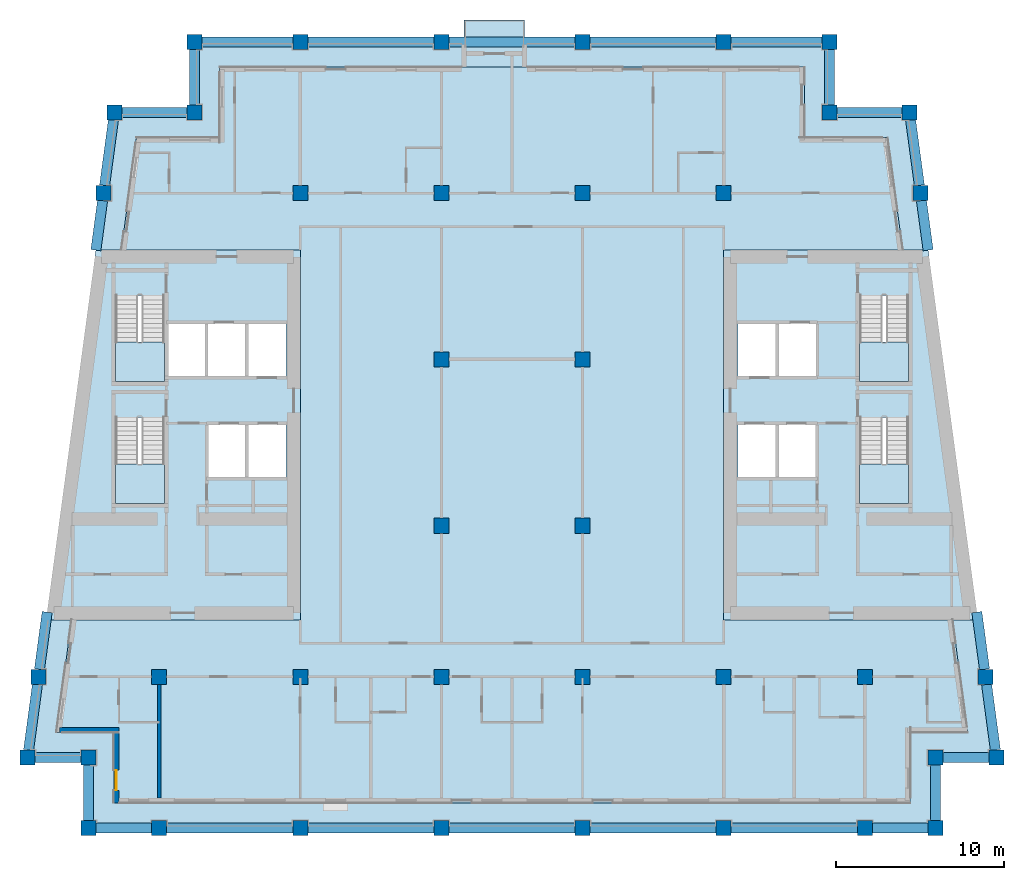
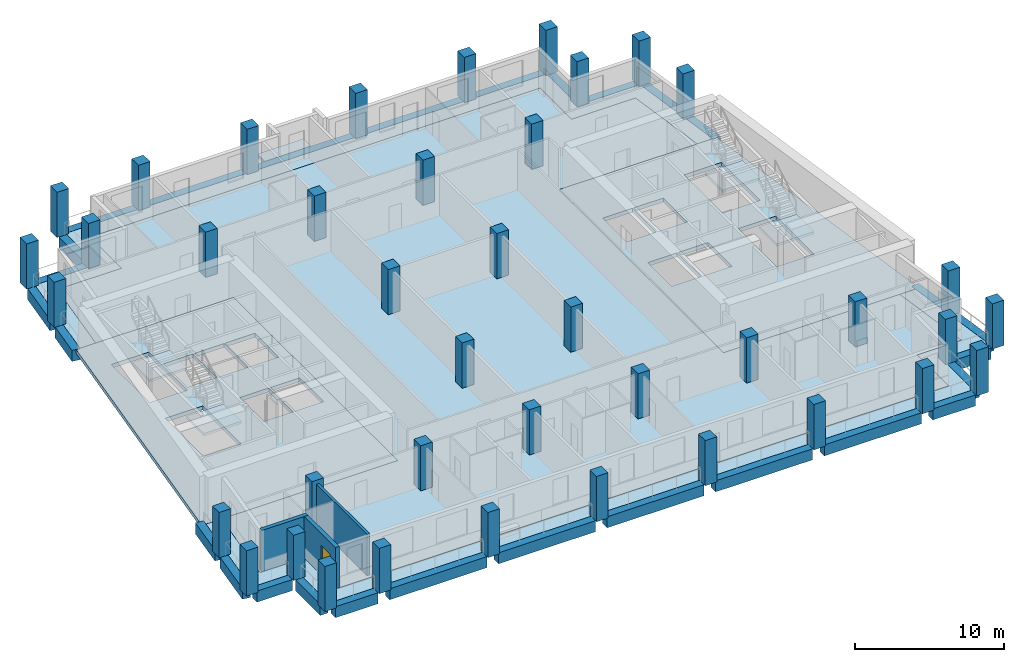
# One storey, part 1 of 12: 40 columns, 28 beams, 10 slabs, 3 walls, 1 door, 1 opening, 4 elements without a shape of their own.
"""IFC4 building model written with IfcOpenShell, lengths in metres."""

from ifc_helpers import new_model, si_unit, direction, frame, frame_2d, origin, origin_2d, place, context, subcontext, project, spatial, polyline, rectangle, outline, extrude, material, layer, layer_set, material_profile, profile_set, type_object, element, fill, aggregate, save


model = new_model("IFC4")

# Units and contexts
model_context = context("Model", 3, precision=1e-05, world=origin(), true_north=direction((0.0, 1.0)))
body_context = subcontext(model_context, "Body", "Model", "MODEL_VIEW")
ifc_project = project(units=[si_unit("LENGTHUNIT", "METRE"), si_unit("AREAUNIT", "SQUARE_METRE"), si_unit("VOLUMEUNIT", "CUBIC_METRE"), si_unit("PLANEANGLEUNIT", "RADIAN"), si_unit("MASSUNIT", "GRAM", prefix="KILO")], contexts=[model_context])

# Site, building, storey
site_placement = place(None, origin())
site = spatial("IfcSite", under=ifc_project, at=site_placement, CompositionType="ELEMENT")
building_placement = place(site_placement, origin())
building = spatial("IfcBuilding", under=site, at=building_placement, Name="Candeia Pilgrim Tower and Theatre", CompositionType="ELEMENT")
storey_placement = place(building_placement, frame((0.0, 0.0, 231.800048828125)))
storey = spatial("IfcBuildingStorey", under=building, at=storey_placement, Name="L56", CompositionType="ELEMENT", Elevation=231.800048828125)

# Columns
ifc_material_1 = material(Name="Concrete C50/60", Category="concrete")
ifc_material_profile_1 = material_profile(ifc_material_1, rectangle(XDim=0.89990234375, YDim=0.89990234375, at=origin_2d()))
ifc_profile_set_1 = profile_set([ifc_material_profile_1], Name="Concrete C50/60")
column_type = type_object("IfcColumnType", Name="RC 900x900 C50/60", PredefinedType="COLUMN", material=ifc_profile_set_1)
for number, where, z_axis, x_axis, name in (
    (1, (92.39990234375, 98.0, 0.0), (0.0, 0.0, 1.0), (1.0, 0.0, 0.0), "Column A1"),
    (2, (100.800048828125, 98.0, 0.0), (0.0, 0.0, 1.0), (1.0, 0.0, 0.0), "Column A2"),
    (3, (109.199951171875, 98.0, 0.0), (0.0, 0.0, 1.0), (1.0, 0.0, 0.0), "Column A3"),
    (4, (117.60009765625, 98.0, 0.0), (0.0, 0.0, 1.0), (1.0, 0.0, 0.0), "Column A4"),
    (5, (126.0, 98.0, 0.0), (0.0, 0.0, 1.0), (1.0, 0.0, 0.0), "Column A5"),
    (6, (134.39990234375, 98.0, 0.0), (0.0, 0.0, 1.0), (1.0, 0.0, 0.0), "Column A6"),
    (7, (88.199951171875, 98.0, 0.0), (0.0, 0.0, 1.0), (1.0, 0.0, 0.0), "Column AW"),
    (8, (138.60009765625, 98.0, 0.0), (0.0, 0.0, 1.0), (1.0, 0.0, 0.0), "Column AE"),
    (9, (88.199951171875, 102.199951171875, 0.0), (0.0, 0.0, 1.0), (1.0, 0.0, 0.0), "Column NSW"),
    (10, (138.60009765625, 102.199951171875, 0.0), (0.0, 0.0, 1.0), (1.0, 0.0, 0.0), "Column NSE"),
    (11, (94.5, 140.60009765625, 0.0), (0.0, 0.0, 1.0), (1.0, 0.0, 0.0), "Column NNW"),
    (12, (132.300048828125, 140.60009765625, 0.0), (0.0, 0.0, 1.0), (1.0, 0.0, 0.0), "Column NNE"),
    (13, (84.5654296875, 102.199951171875, 0.0), (0.0, 0.0, 1.0), (1.0, 0.0, 0.0), "Column LSW"),
    (14, (142.234619140625, 102.199951171875, 0.0), (0.0, 0.0, 1.0), (1.0, 0.0, 0.0), "Column LSE"),
    (15, (89.734619140625, 140.60009765625, 0.0), (0.0, 0.0, 1.0), (1.0, 0.0, 0.0), "Column LNW"),
    (16, (137.0654296875, 140.60009765625, 0.0), (0.0, 0.0, 1.0), (1.0, 0.0, 0.0), "Column LNE"),
    (17, (92.39990234375, 107.0, 0.0), (0.0, 0.0, 1.0), (1.0, 0.0, 0.0), "Column B1"),
    (18, (100.800048828125, 107.0, 0.0), (0.0, 0.0, 1.0), (1.0, 0.0, 0.0), "Column B2"),
    (19, (109.199951171875, 107.0, 0.0), (0.0, 0.0, 1.0), (1.0, 0.0, 0.0), "Column B3"),
    (20, (117.60009765625, 107.0, 0.0), (0.0, 0.0, 1.0), (1.0, 0.0, 0.0), "Column B4"),
    (21, (126.0, 107.0, 0.0), (0.0, 0.0, 1.0), (1.0, 0.0, 0.0), "Column B5"),
    (22, (134.39990234375, 107.0, 0.0), (0.0, 0.0, 1.0), (1.0, 0.0, 0.0), "Column B6"),
    (23, (85.21142578125, 107.0, 0.0), (0.0, 0.0, 1.0), (1.0, 0.0, 0.0), "Column BW"),
    (24, (141.58837890625, 107.0, 0.0), (0.0, 0.0, 1.0), (1.0, 0.0, 0.0), "Column BE"),
    (25, (109.199951171875, 116.0, 0.0), (0.0, 0.0, 1.0), (1.0, 0.0, 0.0), "Column C3"),
    (26, (117.60009765625, 116.0, 0.0), (0.0, 0.0, 1.0), (1.0, 0.0, 0.0), "Column C4"),
    (27, (109.199951171875, 125.89990234375, 0.0), (0.0, 0.0, 1.0), (1.0, 0.0, 0.0), "Column D3"),
    (28, (117.60009765625, 125.89990234375, 0.0), (0.0, 0.0, 1.0), (1.0, 0.0, 0.0), "Column D4"),
    (29, (100.800048828125, 135.800048828125, 0.0), (0.0, 0.0, 1.0), (1.0, 0.0, 0.0), "Column E2"),
    (30, (109.199951171875, 135.800048828125, 0.0), (0.0, 0.0, 1.0), (1.0, 0.0, 0.0), "Column E3"),
    (31, (117.60009765625, 135.800048828125, 0.0), (0.0, 0.0, 1.0), (1.0, 0.0, 0.0), "Column E4"),
    (32, (126.0, 135.800048828125, 0.0), (0.0, 0.0, 1.0), (1.0, 0.0, 0.0), "Column E5"),
    (33, (89.08837890625, 135.800048828125, 0.0), (0.0, 0.0, 1.0), (1.0, 0.0, 0.0), "Column EW"),
    (34, (137.71142578125, 135.800048828125, 0.0), (0.0, 0.0, 1.0), (1.0, 0.0, 0.0), "Column EE"),
    (35, (100.800048828125, 144.800048828125, 0.0), (0.0, 0.0, 1.0), (1.0, 0.0, 0.0), "Column F2"),
    (36, (109.199951171875, 144.800048828125, 0.0), (0.0, 0.0, 1.0), (1.0, 0.0, 0.0), "Column F3"),
    (37, (117.60009765625, 144.800048828125, 0.0), (0.0, 0.0, 1.0), (1.0, 0.0, 0.0), "Column F4"),
    (38, (126.0, 144.800048828125, 0.0), (0.0, 0.0, 1.0), (1.0, 0.0, 0.0), "Column F5"),
    (39, (94.5, 144.800048828125, 0.0), (0.0, 0.0, 1.0), (1.0, 0.0, 0.0), "Column FW"),
    (40, (132.300048828125, 144.800048828125, 0.0), (0.0, 0.0, 1.0), (1.0, 0.0, 0.0), "Column FE"),
):
    element("IfcColumn", number, at=place(storey_placement, frame(where, z_axis=z_axis, x_axis=x_axis)), inside=storey, type_object=column_type, Name=name, PredefinedType="COLUMN", context=body_context, shape_type="SweptSolid", body=[
        extrude(rectangle(XDim=0.89990234375, YDim=0.89990234375, at=origin_2d()), origin(), (0.0, 0.0, 1.0), 3.699951171875),
    ])

# Beams
ifc_material_profile_2 = material_profile(ifc_material_1, rectangle(XDim=0.60009765625, YDim=0.89990234375, at=origin_2d()))
ifc_profile_set_2 = profile_set([ifc_material_profile_2], Name="Concrete C50/60")
beam_type = type_object("IfcBeamType", Name="RC 600x900 C50/60", PredefinedType="BEAM", material=ifc_profile_set_2)
beam_1_placement = place(storey_placement, frame((88.64990234375, 98.0, -0.449951171875), z_axis=(1.0, 0.0, 0.0), x_axis=(0.0, 1.0, 0.0)))
element("IfcBeam", 41, at=beam_1_placement, inside=storey, type_object=beam_type, Name="Spandrel beam L56-01", PredefinedType="BEAM", context=body_context, shape_type="SweptSolid", body=[
    extrude(rectangle(XDim=0.60009765625, YDim=0.89990234375, at=origin_2d()), origin(), (0.0, 0.0, 1.0), 3.300048828125),
])
for number, where, z_axis, x_axis, name in (
    (42, (92.85009765625, 98.0, -0.449951171875), (1.0, 0.0, 0.0), (0.0, 1.0, 0.0), "Spandrel beam L56-02"),
    (43, (101.25, 98.0, -0.449951171875), (1.0, 0.0, 0.0), (0.0, 1.0, 0.0), "Spandrel beam L56-03"),
    (44, (109.64990234375, 98.0, -0.449951171875), (1.0, 0.0, 0.0), (0.0, 1.0, 0.0), "Spandrel beam L56-04"),
    (45, (118.050048828125, 98.0, -0.449951171875), (1.0, 0.0, 0.0), (0.0, 1.0, 0.0), "Spandrel beam L56-05"),
    (46, (126.449951171875, 98.0, -0.449951171875), (1.0, 0.0, 0.0), (0.0, 1.0, 0.0), "Spandrel beam L56-06"),
):
    element("IfcBeam", number, at=place(storey_placement, frame(where, z_axis=z_axis, x_axis=x_axis)), inside=storey, type_object=beam_type, Name=name, PredefinedType="BEAM", context=body_context, shape_type="SweptSolid", body=[
        extrude(rectangle(XDim=0.60009765625, YDim=0.89990234375, at=origin_2d()), origin(), (0.0, 0.0, 1.0), 7.5),
    ])
beam_2_placement = place(storey_placement, frame((134.85009765625, 98.0, -0.449951171875), z_axis=(1.0, 0.0, 0.0), x_axis=(0.0, 1.0, 0.0)))
element("IfcBeam", 47, at=beam_2_placement, inside=storey, type_object=beam_type, Name="Spandrel beam L56-07", PredefinedType="BEAM", context=body_context, shape_type="SweptSolid", body=[
    extrude(rectangle(XDim=0.60009765625, YDim=0.89990234375, at=origin_2d()), origin(), (0.0, 0.0, 1.0), 3.2998046875),
])
beam_3_placement = place(storey_placement, frame((138.60009765625, 98.449951171875, -0.449951171875), z_axis=(0.0, 1.0, 0.0), x_axis=(-1.0, 0.0, 0.0)))
element("IfcBeam", 48, at=beam_3_placement, inside=storey, type_object=beam_type, Name="Spandrel beam L56-08", PredefinedType="BEAM", context=body_context, shape_type="SweptSolid", body=[
    extrude(rectangle(XDim=0.60009765625, YDim=0.89990234375, at=origin_2d()), origin(), (0.0, 0.0, 1.0), 3.300048828125),
])
beam_4_placement = place(storey_placement, frame((139.050048828125, 102.199951171875, -0.449951171875), z_axis=(1.0, 0.0, 0.0), x_axis=(0.0, 1.0, 0.0)))
element("IfcBeam", 49, at=beam_4_placement, inside=storey, type_object=beam_type, Name="Spandrel beam L56-09", PredefinedType="BEAM", context=body_context, shape_type="SweptSolid", body=[
    extrude(rectangle(XDim=0.60009765625, YDim=0.89990234375, at=origin_2d()), origin(), (0.0, 0.0, 1.0), 2.734619140625),
])
beam_5_placement = place(storey_placement, frame((142.174072265625, 102.64990234375, -0.449951171875), z_axis=(-0.133443650757, 0.991056402064, 0.0), x_axis=(-0.991056402064, -0.133443650757, 0.0)))
element("IfcBeam", 50, at=beam_5_placement, inside=storey, type_object=beam_type, Name="Spandrel beam L56-10", PredefinedType="BEAM", context=body_context, shape_type="SweptSolid", body=[
    extrude(rectangle(XDim=0.60009765625, YDim=0.89990234375, at=origin_2d()), origin(), (0.0, 0.0, 1.0), 3.935302734375),
])
beam_6_placement = place(storey_placement, frame((141.52783203125, 107.449951171875, -0.449951171875), z_axis=(-0.133374411439, 0.99106572253, 0.0), x_axis=(-0.99106572253, -0.133374411439, 0.0)))
element("IfcBeam", 51, at=beam_6_placement, inside=storey, type_object=beam_type, Name="Spandrel beam L56-11", PredefinedType="BEAM", context=body_context, shape_type="SweptSolid", body=[
    extrude(rectangle(XDim=0.60009765625, YDim=0.89990234375, at=origin_2d()), origin(), (0.0, 0.0, 1.0), 3.43408203125),
])
beam_7_placement = place(storey_placement, frame((138.169189453125, 132.39990234375, -0.449951171875), z_axis=(-0.133356242983, 0.991068167412, 0.0), x_axis=(-0.991068167412, -0.133356242983, 0.0)))
element("IfcBeam", 52, at=beam_7_placement, inside=storey, type_object=beam_type, Name="Spandrel beam L56-12", PredefinedType="BEAM", context=body_context, shape_type="SweptSolid", body=[
    extrude(rectangle(XDim=0.60009765625, YDim=0.89990234375, at=origin_2d()), origin(), (0.0, 0.0, 1.0), 2.976806640625),
])
beam_8_placement = place(storey_placement, frame((137.65087890625, 136.25, -0.449951171875), z_axis=(-0.133390918184, 0.991063500965, 0.0), x_axis=(-0.991063500965, -0.133390918184, 0.0)))
element("IfcBeam", 53, at=beam_8_placement, inside=storey, type_object=beam_type, Name="Spandrel beam L56-13", PredefinedType="BEAM", context=body_context, shape_type="SweptSolid", body=[
    extrude(rectangle(XDim=0.60009765625, YDim=0.89990234375, at=origin_2d()), origin(), (0.0, 0.0, 1.0), 3.93505859375),
])
beam_9_placement = place(storey_placement, frame((136.615478515625, 140.60009765625, -0.449951171875), z_axis=(-1.0, 0.0, 0.0), x_axis=(0.0, -1.0, 0.0)))
element("IfcBeam", 54, at=beam_9_placement, inside=storey, type_object=beam_type, Name="Spandrel beam L56-14", PredefinedType="BEAM", context=body_context, shape_type="SweptSolid", body=[
    extrude(rectangle(XDim=0.60009765625, YDim=0.89990234375, at=origin_2d()), origin(), (0.0, 0.0, 1.0), 3.865478515625),
])
beam_10_placement = place(storey_placement, frame((132.300048828125, 141.050048828125, -0.449951171875), z_axis=(0.0, 1.0, 0.0), x_axis=(-1.0, 0.0, 0.0)))
element("IfcBeam", 55, at=beam_10_placement, inside=storey, type_object=beam_type, Name="Spandrel beam L56-15", PredefinedType="BEAM", context=body_context, shape_type="SweptSolid", body=[
    extrude(rectangle(XDim=0.60009765625, YDim=0.89990234375, at=origin_2d()), origin(), (0.0, 0.0, 1.0), 3.300048828125),
])
beam_11_placement = place(storey_placement, frame((131.85009765625, 144.800048828125, -0.449951171875), z_axis=(-1.0, 0.0, 0.0), x_axis=(0.0, -1.0, 0.0)))
element("IfcBeam", 56, at=beam_11_placement, inside=storey, type_object=beam_type, Name="Spandrel beam L56-16", PredefinedType="BEAM", context=body_context, shape_type="SweptSolid", body=[
    extrude(rectangle(XDim=0.60009765625, YDim=0.89990234375, at=origin_2d()), origin(), (0.0, 0.0, 1.0), 5.400146484375),
])
for number, where, z_axis, x_axis, name in (
    (57, (125.550048828125, 144.800048828125, -0.449951171875), (-1.0, 0.0, 0.0), (0.0, -1.0, 0.0), "Spandrel beam L56-17"),
    (58, (117.14990234375, 144.800048828125, -0.449951171875), (-1.0, 0.0, 0.0), (0.0, -1.0, 0.0), "Spandrel beam L56-18"),
    (59, (108.75, 144.800048828125, -0.449951171875), (-1.0, 0.0, 0.0), (0.0, -1.0, 0.0), "Spandrel beam L56-19"),
):
    element("IfcBeam", number, at=place(storey_placement, frame(where, z_axis=z_axis, x_axis=x_axis)), inside=storey, type_object=beam_type, Name=name, PredefinedType="BEAM", context=body_context, shape_type="SweptSolid", body=[
        extrude(rectangle(XDim=0.60009765625, YDim=0.89990234375, at=origin_2d()), origin(), (0.0, 0.0, 1.0), 7.5),
    ])
beam_12_placement = place(storey_placement, frame((100.35009765625, 144.800048828125, -0.449951171875), z_axis=(-1.0, 0.0, 0.0), x_axis=(0.0, -1.0, 0.0)))
element("IfcBeam", 60, at=beam_12_placement, inside=storey, type_object=beam_type, Name="Spandrel beam L56-20", PredefinedType="BEAM", context=body_context, shape_type="SweptSolid", body=[
    extrude(rectangle(XDim=0.60009765625, YDim=0.89990234375, at=origin_2d()), origin(), (0.0, 0.0, 1.0), 5.400146484375),
])
beam_13_placement = place(storey_placement, frame((94.5, 144.35009765625, -0.449951171875), z_axis=(0.0, -1.0, 0.0), x_axis=(1.0, 0.0, 0.0)))
element("IfcBeam", 61, at=beam_13_placement, inside=storey, type_object=beam_type, Name="Spandrel beam L56-21", PredefinedType="BEAM", context=body_context, shape_type="SweptSolid", body=[
    extrude(rectangle(XDim=0.60009765625, YDim=0.89990234375, at=origin_2d()), origin(), (0.0, 0.0, 1.0), 3.300048828125),
])
beam_14_placement = place(storey_placement, frame((94.050048828125, 140.60009765625, -0.449951171875), z_axis=(-1.0, 0.0, 0.0), x_axis=(0.0, -1.0, 0.0)))
element("IfcBeam", 62, at=beam_14_placement, inside=storey, type_object=beam_type, Name="Spandrel beam L56-22", PredefinedType="BEAM", context=body_context, shape_type="SweptSolid", body=[
    extrude(rectangle(XDim=0.60009765625, YDim=0.89990234375, at=origin_2d()), origin(), (0.0, 0.0, 1.0), 3.865478515625),
])
beam_15_placement = place(storey_placement, frame((89.674072265625, 140.14990234375, -0.449951171875), z_axis=(-0.133451855788, -0.99105529724, 0.0), x_axis=(0.99105529724, -0.133451855788, 0.0)))
element("IfcBeam", 63, at=beam_15_placement, inside=storey, type_object=beam_type, Name="Spandrel beam L56-23", PredefinedType="BEAM", context=body_context, shape_type="SweptSolid", body=[
    extrude(rectangle(XDim=0.60009765625, YDim=0.89990234375, at=origin_2d()), origin(), (0.0, 0.0, 1.0), 3.93505859375),
])
beam_16_placement = place(storey_placement, frame((89.02783203125, 135.35009765625, -0.449951171875), z_axis=(-0.133356242983, -0.991068167412, 0.0), x_axis=(0.991068167412, -0.133356242983, 0.0)))
element("IfcBeam", 64, at=beam_16_placement, inside=storey, type_object=beam_type, Name="Spandrel beam L56-24", PredefinedType="BEAM", context=body_context, shape_type="SweptSolid", body=[
    extrude(rectangle(XDim=0.60009765625, YDim=0.89990234375, at=origin_2d()), origin(), (0.0, 0.0, 1.0), 2.976806640625),
])
beam_17_placement = place(storey_placement, frame((85.730224609375, 110.853271484375, -0.449951171875), z_axis=(-0.133374411439, -0.99106572253, 0.0), x_axis=(0.99106572253, -0.133374411439, 0.0)))
element("IfcBeam", 65, at=beam_17_placement, inside=storey, type_object=beam_type, Name="Spandrel beam L56-25", PredefinedType="BEAM", context=body_context, shape_type="SweptSolid", body=[
    extrude(rectangle(XDim=0.60009765625, YDim=0.89990234375, at=origin_2d()), origin(), (0.0, 0.0, 1.0), 3.43408203125),
])
beam_18_placement = place(storey_placement, frame((85.15087890625, 106.550048828125, -0.449951171875), z_axis=(-0.133382716764, -0.991064604791, 0.0), x_axis=(0.991064604791, -0.133382716764, 0.0)))
element("IfcBeam", 66, at=beam_18_placement, inside=storey, type_object=beam_type, Name="Spandrel beam L56-26", PredefinedType="BEAM", context=body_context, shape_type="SweptSolid", body=[
    extrude(rectangle(XDim=0.60009765625, YDim=0.89990234375, at=origin_2d()), origin(), (0.0, 0.0, 1.0), 3.935302734375),
])
beam_19_placement = place(storey_placement, frame((85.015380859375, 102.199951171875, -0.449951171875), z_axis=(1.0, 0.0, 0.0), x_axis=(0.0, 1.0, 0.0)))
element("IfcBeam", 67, at=beam_19_placement, inside=storey, type_object=beam_type, Name="Spandrel beam L56-27", PredefinedType="BEAM", context=body_context, shape_type="SweptSolid", body=[
    extrude(rectangle(XDim=0.60009765625, YDim=0.89990234375, at=origin_2d()), origin(), (0.0, 0.0, 1.0), 2.734619140625),
])
beam_20_placement = place(storey_placement, frame((88.199951171875, 101.75, -0.449951171875), z_axis=(0.0, -1.0, 0.0), x_axis=(1.0, 0.0, 0.0)))
element("IfcBeam", 68, at=beam_20_placement, inside=storey, type_object=beam_type, Name="Spandrel beam L56-28", PredefinedType="BEAM", context=body_context, shape_type="SweptSolid", body=[
    extrude(rectangle(XDim=0.60009765625, YDim=0.89990234375, at=origin_2d()), origin(), (0.0, 0.0, 1.0), 3.300048828125),
])

# Slabs
ifc_material_2 = material(Name="Concrete C40/50", Category="concrete")
ifc_layer_1 = layer(ifc_material_2, 0.25)
ifc_layer_set_1 = layer_set([ifc_layer_1], Name="BK1 balcony slab 250")
slab_type_1 = type_object("IfcSlabType", Name="BK1 balcony slab 250", PredefinedType="USERDEFINED", material=ifc_layer_set_1)
slab_1_placement = place(storey_placement, frame((0.0, 0.0, -0.25)))
element("IfcSlab", 69, at=slab_1_placement, inside=storey, type_object=slab_type_1, Name="Balcony L56", ObjectType="BALCONY", PredefinedType="USERDEFINED", context=body_context, shape_type="SweptSolid", body=[
    extrude(outline(polyline([(110.550048828125, 144.5), (114.14990234375, 144.5), (114.14990234375, 146.10009765625), (110.550048828125, 146.10009765625), (110.550048828125, 144.5)])), origin(), (0.0, 0.0, 1.0), 0.25),
])
ifc_material_3 = material(Name="Concrete C60/75", Category="concrete")
ifc_layer_2 = layer(ifc_material_3, 0.320068359375)
ifc_layer_set_2 = layer_set([ifc_layer_2], Name="FS-CORE 320 core floor")
slab_type_2 = type_object("IfcSlabType", Name="FS-CORE 320 core floor", PredefinedType="FLOOR", material=ifc_layer_set_2)
slab_2_placement = place(storey_placement, frame((0.0, 0.0, -0.320068359375)))
element("IfcSlab", 70, at=slab_2_placement, inside=storey, type_object=slab_type_2, Name="Core floor W L56", PredefinedType="FLOOR", context=body_context, shape_type="SweptSolid", body=[
    extrude(outline(polyline([(100.800048828125, 132.39990234375), (100.800048828125, 110.39990234375), (85.669189453125, 110.39990234375), (88.630859375, 132.39990234375), (100.800048828125, 132.39990234375)]), holes=[polyline([(97.658935546875, 128.050048828125), (97.658935546875, 124.85009765625), (99.949951171875, 124.85009765625), (99.949951171875, 128.050048828125), (97.658935546875, 128.050048828125)]), polyline([(97.66357421875, 122.050048828125), (97.66357421875, 118.85009765625), (99.949951171875, 118.85009765625), (99.949951171875, 122.050048828125), (97.66357421875, 122.050048828125)]), polyline([(95.277099609375, 122.050048828125), (95.277099609375, 118.85009765625), (97.5634765625, 118.85009765625), (97.5634765625, 122.050048828125), (95.277099609375, 122.050048828125)]), polyline([(95.26806640625, 128.050048828125), (95.26806640625, 124.85009765625), (97.55908203125, 124.85009765625), (97.55908203125, 128.050048828125), (95.26806640625, 128.050048828125)]), polyline([(92.876953125, 128.050048828125), (92.876953125, 124.85009765625), (95.16796875, 124.85009765625), (95.16796875, 128.050048828125), (92.876953125, 128.050048828125)]), polyline([(89.802001953125, 117.324951171875), (92.701904296875, 117.324951171875), (92.701904296875, 122.455078125), (89.802001953125, 122.455078125), (89.802001953125, 117.324951171875)]), polyline([(89.802001953125, 129.705078125), (89.802001953125, 124.574951171875), (92.701904296875, 124.574951171875), (92.701904296875, 129.705078125), (89.802001953125, 129.705078125)])]), origin(), (0.0, 0.0, 1.0), 0.320068359375),
])
slab_3_placement = place(storey_placement, frame((0.0, 0.0, -0.320068359375)))
element("IfcSlab", 71, at=slab_3_placement, inside=storey, type_object=slab_type_2, Name="Core floor E L56", PredefinedType="FLOOR", context=body_context, shape_type="SweptSolid", body=[
    extrude(outline(polyline([(138.169189453125, 132.39990234375), (141.130859375, 110.39990234375), (126.0, 110.39990234375), (126.0, 132.39990234375), (138.169189453125, 132.39990234375)]), holes=[polyline([(134.097900390625, 117.324951171875), (136.998046875, 117.324951171875), (136.998046875, 122.455078125), (134.097900390625, 122.455078125), (134.097900390625, 117.324951171875)]), polyline([(134.097900390625, 129.705078125), (134.097900390625, 124.574951171875), (136.998046875, 124.574951171875), (136.998046875, 129.705078125), (134.097900390625, 129.705078125)]), polyline([(131.531982421875, 128.050048828125), (129.240966796875, 128.050048828125), (129.240966796875, 124.85009765625), (131.531982421875, 124.85009765625), (131.531982421875, 128.050048828125)]), polyline([(131.52294921875, 122.050048828125), (129.236572265625, 122.050048828125), (129.236572265625, 118.85009765625), (131.52294921875, 118.85009765625), (131.52294921875, 122.050048828125)]), polyline([(126.85009765625, 128.050048828125), (126.85009765625, 124.85009765625), (129.14111328125, 124.85009765625), (129.14111328125, 128.050048828125), (126.85009765625, 128.050048828125)]), polyline([(129.136474609375, 122.050048828125), (126.85009765625, 122.050048828125), (126.85009765625, 118.85009765625), (129.136474609375, 118.85009765625), (129.136474609375, 122.050048828125)])]), origin(), (0.0, 0.0, 1.0), 0.320068359375),
])
ifc_layer_3 = layer(ifc_material_1, 0.320068359375)
ifc_layer_set_3 = layer_set([ifc_layer_3], Name="Floor slab 320 C50/60")
slab_type_3 = type_object("IfcSlabType", Name="Floor slab 320 C50/60", PredefinedType="FLOOR", material=ifc_layer_set_3)
slab_4_placement = place(storey_placement, frame((0.0, 0.0, -0.320068359375)))
element("IfcSlab", 72, at=slab_4_placement, inside=storey, type_object=slab_type_3, Name="Floor slab L56", PredefinedType="FLOOR", context=body_context, shape_type="SweptSolid", body=[
    extrude(outline(polyline([(96.0, 139.10009765625), (96.0, 143.300048828125), (130.800048828125, 143.300048828125), (130.800048828125, 139.10009765625), (135.753662109375, 139.10009765625), (136.65576171875, 132.39990234375), (126.0, 132.39990234375), (126.0, 110.39990234375), (139.6171875, 110.39990234375), (140.51904296875, 103.699951171875), (137.10009765625, 103.699951171875), (137.10009765625, 99.5), (89.699951171875, 99.5), (89.699951171875, 103.699951171875), (86.28076171875, 103.699951171875), (87.182861328125, 110.39990234375), (100.800048828125, 110.39990234375), (100.800048828125, 132.39990234375), (90.144287109375, 132.39990234375), (91.046142578125, 139.10009765625), (96.0, 139.10009765625)])), origin(), (0.0, 0.0, 1.0), 0.320068359375),
])
ifc_layer_4 = layer(ifc_material_2, 0.25)
ifc_layer_set_4 = layer_set([ifc_layer_4], Name="Loggia slab 250 C40/50")
slab_type_4 = type_object("IfcSlabType", Name="Loggia slab 250 C40/50", PredefinedType="FLOOR", material=ifc_layer_set_4)
slab_5_placement = place(storey_placement, frame((0.0, 0.0, -0.25)))
element("IfcSlab", 73, at=slab_5_placement, inside=storey, type_object=slab_type_4, Name="Loggia slab L56 1", PredefinedType="FLOOR", context=body_context, shape_type="SweptSolid", body=[
    extrude(outline(polyline([(87.182861328125, 110.39990234375), (86.28076171875, 103.699951171875), (89.699951171875, 103.699951171875), (89.699951171875, 99.5), (137.10009765625, 99.5), (137.10009765625, 103.699951171875), (140.51904296875, 103.699951171875), (139.6171875, 110.39990234375), (140.828125, 110.39990234375), (141.8916015625, 102.5), (138.300048828125, 102.5), (138.300048828125, 98.300048828125), (88.5, 98.300048828125), (88.5, 102.5), (84.908447265625, 102.5), (85.971923828125, 110.39990234375), (87.182861328125, 110.39990234375)])), origin(), (0.0, 0.0, 1.0), 0.25),
])
slab_6_placement = place(storey_placement, frame((0.0, 0.0, -0.25)))
element("IfcSlab", 74, at=slab_6_placement, inside=storey, type_object=slab_type_4, Name="Loggia slab L56 2", PredefinedType="FLOOR", context=body_context, shape_type="SweptSolid", body=[
    extrude(outline(polyline([(136.65576171875, 132.39990234375), (135.753662109375, 139.10009765625), (130.800048828125, 139.10009765625), (130.800048828125, 143.300048828125), (96.0, 143.300048828125), (96.0, 139.10009765625), (91.046142578125, 139.10009765625), (90.144287109375, 132.39990234375), (88.93359375, 132.39990234375), (89.996826171875, 140.300048828125), (94.800048828125, 140.300048828125), (94.800048828125, 144.5), (132.0, 144.5), (132.0, 140.300048828125), (136.802978515625, 140.300048828125), (137.866455078125, 132.39990234375), (136.65576171875, 132.39990234375)])), origin(), (0.0, 0.0, 1.0), 0.25),
])

# Stair, slab
stair_type = type_object("IfcStairType", Name="ST-TWR dog-leg escape stair", PredefinedType="HALF_TURN_STAIR", material=ifc_material_2)
stair_1_placement = place(storey_placement, origin())
stair_1 = element("IfcStair", 75, at=stair_1_placement, inside=storey, type_object=stair_type, Name="L56 Escape stair ST1", PredefinedType="HALF_TURN_STAIR")
ifc_layer_5 = layer(ifc_material_2, 0.199951171875)
ifc_layer_set_5 = layer_set([ifc_layer_5], Name="SL-LANDING stair landing")
slab_type_5 = type_object("IfcSlabType", Name="SL-LANDING stair landing", PredefinedType="LANDING", material=ifc_layer_set_5)
slab_7_placement = place(storey_placement, frame((0.0, 0.0, 1.64990234375)))
slab_7 = element("IfcSlab", 76, at=slab_7_placement, type_object=slab_type_5, Name="ST1 landing 1", PredefinedType="LANDING", context=body_context, shape_type="SweptSolid", body=[
    extrude(outline(polyline([(89.802001953125, 119.675048828125), (89.802001953125, 117.324951171875), (92.701904296875, 117.324951171875), (92.701904296875, 119.675048828125), (89.802001953125, 119.675048828125)])), origin(), (0.0, 0.0, 1.0), 0.199951171875),
])
aggregate(stair_1, [slab_7])

stair_2_placement = place(storey_placement, origin())
stair_2 = element("IfcStair", 77, at=stair_2_placement, inside=storey, type_object=stair_type, Name="L56 Escape stair ST2", PredefinedType="HALF_TURN_STAIR")
slab_8_placement = place(storey_placement, frame((0.0, 0.0, 1.64990234375)))
slab_8 = element("IfcSlab", 78, at=slab_8_placement, type_object=slab_type_5, Name="ST2 landing 1", PredefinedType="LANDING", context=body_context, shape_type="SweptSolid", body=[
    extrude(outline(polyline([(89.802001953125, 126.925048828125), (89.802001953125, 124.574951171875), (92.701904296875, 124.574951171875), (92.701904296875, 126.925048828125), (89.802001953125, 126.925048828125)])), origin(), (0.0, 0.0, 1.0), 0.199951171875),
])
aggregate(stair_2, [slab_8])

stair_3_placement = place(storey_placement, origin())
stair_3 = element("IfcStair", 79, at=stair_3_placement, inside=storey, type_object=stair_type, Name="L56 Escape stair ST3", PredefinedType="HALF_TURN_STAIR")
slab_9_placement = place(storey_placement, frame((0.0, 0.0, 1.64990234375)))
slab_9 = element("IfcSlab", 80, at=slab_9_placement, type_object=slab_type_5, Name="ST3 landing 1", PredefinedType="LANDING", context=body_context, shape_type="SweptSolid", body=[
    extrude(outline(polyline([(134.097900390625, 119.675048828125), (134.097900390625, 117.324951171875), (136.998046875, 117.324951171875), (136.998046875, 119.675048828125), (134.097900390625, 119.675048828125)])), origin(), (0.0, 0.0, 1.0), 0.199951171875),
])
aggregate(stair_3, [slab_9])

stair_4_placement = place(storey_placement, origin())
stair_4 = element("IfcStair", 81, at=stair_4_placement, inside=storey, type_object=stair_type, Name="L56 Escape stair ST4", PredefinedType="HALF_TURN_STAIR")
slab_10_placement = place(storey_placement, frame((0.0, 0.0, 1.64990234375)))
slab_10 = element("IfcSlab", 82, at=slab_10_placement, type_object=slab_type_5, Name="ST4 landing 1", PredefinedType="LANDING", context=body_context, shape_type="SweptSolid", body=[
    extrude(outline(polyline([(134.097900390625, 126.925048828125), (134.097900390625, 124.574951171875), (136.998046875, 124.574951171875), (136.998046875, 126.925048828125), (134.097900390625, 126.925048828125)])), origin(), (0.0, 0.0, 1.0), 0.199951171875),
])
aggregate(stair_4, [slab_10])

# Wall
ifc_material_4 = material(Name="Ceramic block masonry", Category="masonry")
ifc_layer_6 = layer(ifc_material_4, 0.300048828125)
ifc_layer_set_6 = layer_set([ifc_layer_6], Name="EW1 glazing-line wall 300")
wall_type_1 = type_object("IfcWallType", Name="EW1 glazing-line wall 300", PredefinedType="SOLIDWALL", material=ifc_layer_set_6)
wall_1_placement = place(storey_placement, frame((86.452392578125, 103.85009765625, 0.0), z_axis=(0.0, 0.0, 1.0), x_axis=(1.0, 0.0, 0.0)))
element("IfcWall", 83, at=wall_1_placement, inside=storey, type_object=wall_type_1, Name="External wall L56-10.0", PredefinedType="SOLIDWALL", context=body_context, shape_type="SweptSolid", body=[
    extrude(rectangle(XDim=3.547607421875, YDim=0.300048828125, at=frame_2d((1.77392578125, 0.0))), origin(), (0.0, 0.0, 1.0), 3.3798828125),
])

# Wall, opening, door
wall_2_placement = place(storey_placement, frame((89.85009765625, 103.85009765625, 0.0), z_axis=(0.0, 0.0, 1.0), x_axis=(0.0, -1.0, 0.0)))
wall_2 = element("IfcWall", 84, at=wall_2_placement, inside=storey, type_object=wall_type_1, Name="External wall L56-11.0", PredefinedType="SOLIDWALL", context=body_context, shape_type="SweptSolid", body=[
    extrude(rectangle(XDim=4.35009765625, YDim=0.300048828125, at=frame_2d((2.175048828125, 0.0))), origin(), (0.0, 0.0, 1.0), 3.3798828125),
])
opening_placement = place(wall_2_placement, frame((2.39990234375, 0.0, 0.0)))
opening = element("IfcOpeningElement", 85, at=opening_placement, cuts=wall_2, Name="Opening L56-ED545", PredefinedType="OPENING", context=body_context, shape_type="SweptSolid", body=[
    extrude(rectangle(XDim=1.199951171875, YDim=2.39990234375, at=frame_2d((0.60009765625, 1.199951171875))), frame((0.0, 0.16015625, 0.0), z_axis=(0.0, -1.0, 0.0), x_axis=(1.0, 0.0, 0.0)), (0.0, 0.0, 1.0), 0.320068359375),
])
ifc_material_5 = material(Name="Aluminium framed glazed door", Category="aluminium")
door_type = type_object("IfcDoorType", Name="Loggia door 1200x2400", OperationType="DOUBLE_DOOR_SINGLE_SWING", PredefinedType="DOOR", material=ifc_material_5)
door_placement = place(opening_placement, origin())
door = element("IfcDoor", 86, at=door_placement, inside=storey, type_object=door_type, Name="Loggia door L56-ED545", OperationType="DOUBLE_DOOR_SINGLE_SWING", OverallHeight=2.39990234375, OverallWidth=1.199951171875, PredefinedType="DOOR", context=body_context, shape_type="SweptSolid", body=[
    extrude(rectangle(XDim=1.199951171875, YDim=2.39990234375, at=frame_2d((0.60009765625, 1.199951171875))), frame((0.0, 0.02490234375, 0.0), z_axis=(0.0, -1.0, 0.0), x_axis=(1.0, 0.0, 0.0)), (0.0, 0.0, 1.0), 0.050048828125),
])
fill(opening, door)

# Wall
ifc_material_6 = material(Name="Gypsum board partition on steel studs", Category="steel")
ifc_layer_7 = layer(ifc_material_6, 0.199951171875)
ifc_layer_set_7 = layer_set([ifc_layer_7], Name="PW-200 party wall")
wall_type_2 = type_object("IfcWallType", Name="PW-200 party wall", PredefinedType="PARTITIONING", material=ifc_layer_set_7)
wall_3_placement = place(storey_placement, frame((92.39990234375, 99.7900390625, 0.0), z_axis=(0.0, 0.0, 1.0), x_axis=(0.0, 1.0, 0.0)))
element("IfcWall", 87, at=wall_3_placement, inside=storey, type_object=wall_type_2, Name="Party wall L56-049", PredefinedType="PARTITIONING", context=body_context, shape_type="SweptSolid", body=[
    extrude(rectangle(XDim=7.135009765625, YDim=0.199951171875, at=frame_2d((3.5673828125, 0.0))), origin(), (0.0, 0.0, 1.0), 3.3798828125),
])

save(model, "model.ifc")
